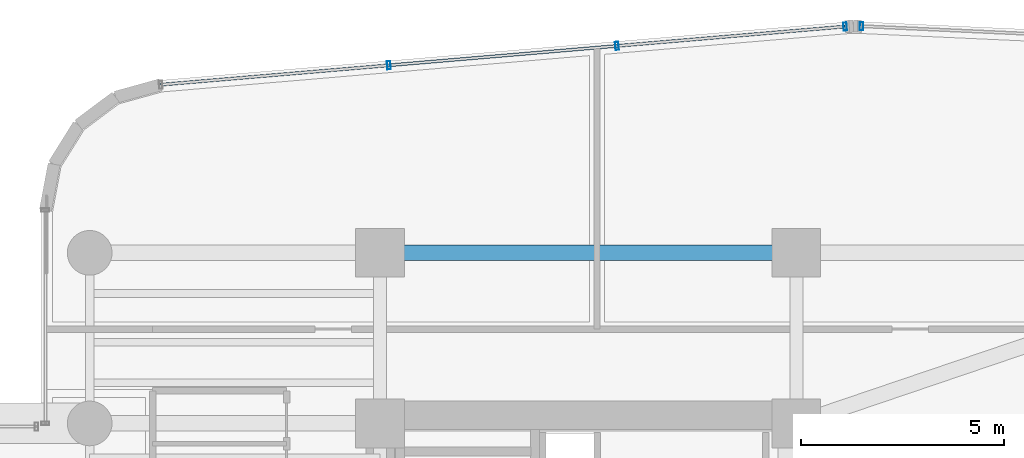
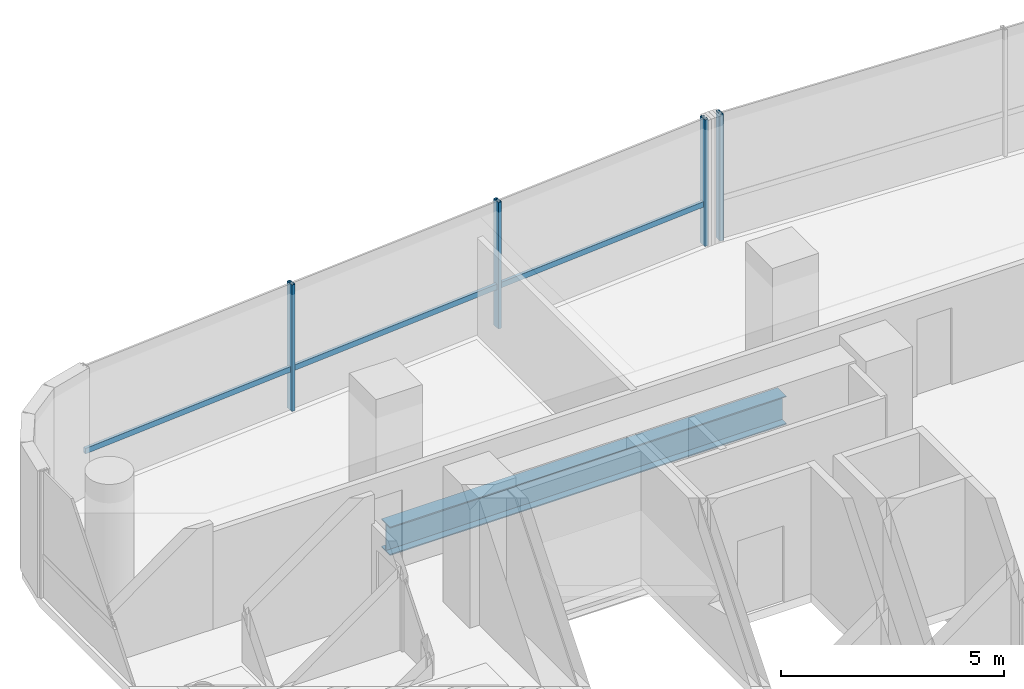
# One storey, part 19 of 34: 5 members, 1 beam, 2 elements without a shape of their own.
"""IFC4 building model written with IfcOpenShell, lengths in metres."""

from ifc_helpers import new_model, si_unit, direction, frame, origin, origin_2d, place, context, subcontext, project, spatial, hollow_rectangle, i_section, extrude, source, transform, mapped, material, material_profile, profile_set, type_object, element, aggregate, save


model = new_model("IFC4")

# Units and contexts
model_context = context("Model", 3, precision=1e-05, world=origin(), true_north=direction((0.0, 1.0)))
body_context = subcontext(model_context, "Body", "Model", "MODEL_VIEW")
ifc_project = project(units=[si_unit("LENGTHUNIT", "METRE"), si_unit("AREAUNIT", "SQUARE_METRE"), si_unit("VOLUMEUNIT", "CUBIC_METRE"), si_unit("PLANEANGLEUNIT", "RADIAN"), si_unit("MASSUNIT", "GRAM", prefix="KILO")], contexts=[model_context])

# Site, building, storey
site_placement = place(None, origin())
site = spatial("IfcSite", under=ifc_project, at=site_placement, CompositionType="ELEMENT")
building_placement = place(site_placement, origin())
building = spatial("IfcBuilding", under=site, at=building_placement, Name="Valdorenza Pilgrim Sanctuary Tower", CompositionType="ELEMENT")
storey_placement = place(building_placement, frame((0.0, 0.0, 142.699951171875)))
storey = spatial("IfcBuildingStorey", under=building, at=storey_placement, Name="L36", CompositionType="ELEMENT", Elevation=142.699951171875)

# Beam
ifc_material_1 = material(Name="Steel ASTM A992 Grade 50", Category="steel")
ifc_material_profile_1 = material_profile(ifc_material_1, i_section(OverallWidth=0.382080078125, OverallDepth=0.779052734375, WebThickness=0.01806640625, FlangeThickness=0.030029296875, at=origin_2d()), Name="W30X191")
ifc_profile_set_1 = profile_set([ifc_material_profile_1], Name="Steel ASTM A992 Grade 50")
beam_type = type_object("IfcBeamType", Name="STR-BM-GRD-W30", PredefinedType="BEAM", material=ifc_profile_set_1)
shared_shape_1 = source(origin(), body_context, "Body", "SweptSolid", [
    extrude(i_section(OverallWidth=0.382080078125, OverallDepth=0.779052734375, WebThickness=0.01806640625, FlangeThickness=0.030029296875, at=origin_2d()), origin(), (0.0, 0.0, 1.0), 10.25),
])
beam_placement = place(storey_placement, frame((-22.64990234375, 14.800048828125, -0.62939453125), z_axis=(1.0, 0.0, 0.0), x_axis=(0.0, 1.0, 0.0)))
element("IfcBeam", 1, at=beam_placement, inside=storey, type_object=beam_type, Name="L36 Floor Girder CA-XC-N2", PredefinedType="BEAM", context=body_context, shape_type="MappedRepresentation", body=[
    mapped(shared_shape_1, transform((0.0, 0.0, 0.0), x_axis=(1.0, 0.0, 0.0), y_axis=(0.0, 1.0, 0.0), z_axis=(0.0, 0.0, 1.0), scale=1.0)),
])

# Curtain wall, members
ifc_material_2 = material(Name="Curtain-wall IGU glazing", Category="glass")
curtain_wall_type = type_object("IfcCurtainWallType", Name="CW-SYS-02", PredefinedType="NOTDEFINED", material=ifc_material_2)
curtain_wall_1_placement = place(storey_placement, origin())
curtain_wall_1 = element("IfcCurtainWall", 2, at=curtain_wall_1_placement, inside=storey, type_object=curtain_wall_type, Name="L36 Curtain Wall CW-L36-1-6", PredefinedType="NOTDEFINED")
ifc_material_3 = material(Name="Anodised aluminium AW-6060", Category="aluminium")
ifc_material_profile_2 = material_profile(ifc_material_3, hollow_rectangle(XDim=0.0849609375, YDim=0.199951171875, WallThickness=0.0048828125, at=origin_2d()), Name="ALU-M 200x85x5")
ifc_profile_set_2 = profile_set([ifc_material_profile_2], Name="Anodised aluminium AW-6060")
member_type_1 = type_object("IfcMemberType", Name="CW-MUL-02", PredefinedType="MULLION", material=ifc_profile_set_2)
shared_shape_2 = source(origin(), body_context, "Body", "SweptSolid", [
    extrude(hollow_rectangle(XDim=0.0849609375, YDim=0.199951171875, WallThickness=0.0048828125, at=origin_2d()), origin(), (0.0, 0.0, 1.0), 3.4599609375),
])
member_1_placement = place(storey_placement, frame((-22.43408203125, 19.417724609375, 0.0), z_axis=(0.0, 0.0, 1.0), x_axis=(0.99640764237, 0.084686541006, 0.0)))
member_1 = element("IfcMember", 3, at=member_1_placement, type_object=member_type_1, Name="CW-L36-1-6 Mullion 2", PredefinedType="MULLION", context=body_context, shape_type="MappedRepresentation", body=[
    mapped(shared_shape_2, transform((0.0, 0.0, 0.0), x_axis=(1.0, 0.0, 0.0), y_axis=(0.0, 1.0, 0.0), z_axis=(0.0, 0.0, 1.0), scale=1.0)),
])
member_2_placement = place(storey_placement, frame((-16.81689453125, 19.895263671875, 0.0), z_axis=(0.0, 0.0, 1.0), x_axis=(0.99640764237, 0.084686541006, 0.0)))
member_2 = element("IfcMember", 4, at=member_2_placement, type_object=member_type_1, Name="CW-L36-1-6 Mullion 3", PredefinedType="MULLION", context=body_context, shape_type="MappedRepresentation", body=[
    mapped(shared_shape_2, transform((0.0, 0.0, 0.0), x_axis=(1.0, 0.0, 0.0), y_axis=(0.0, 1.0, 0.0), z_axis=(0.0, 0.0, 1.0), scale=1.0)),
])
member_3_placement = place(storey_placement, frame((-11.199462890625, 20.37255859375, 0.0), z_axis=(0.0, 0.0, 1.0), x_axis=(0.99640764237, 0.084686541006, 0.0)))
member_3 = element("IfcMember", 5, at=member_3_placement, type_object=member_type_1, Name="CW-L36-1-6 Mullion 4", PredefinedType="MULLION", context=body_context, shape_type="MappedRepresentation", body=[
    mapped(shared_shape_2, transform((0.0, 0.0, 0.0), x_axis=(1.0, 0.0, 0.0), y_axis=(0.0, 1.0, 0.0), z_axis=(0.0, 0.0, 1.0), scale=1.0)),
])

# Curtain wall, member
curtain_wall_2_placement = place(storey_placement, origin())
curtain_wall_2 = element("IfcCurtainWall", 6, at=curtain_wall_2_placement, inside=storey, type_object=curtain_wall_type, Name="L36 Curtain Wall CW-L36-1-11", PredefinedType="NOTDEFINED")
member_4_placement = place(storey_placement, frame((-10.795654296875, 20.380615234375, 0.0), z_axis=(0.0, 0.0, 1.0), x_axis=(0.998968193221, -0.045415294044, 0.0)))
member_4 = element("IfcMember", 7, at=member_4_placement, type_object=member_type_1, Name="CW-L36-1-11 Mullion 1", PredefinedType="MULLION", context=body_context, shape_type="MappedRepresentation", body=[
    mapped(shared_shape_2, transform((0.0, 0.0, 0.0), x_axis=(1.0, 0.0, 0.0), y_axis=(0.0, 1.0, 0.0), z_axis=(0.0, 0.0, 1.0), scale=1.0)),
])
aggregate(curtain_wall_2, [member_4])

# Member
ifc_material_profile_3 = material_profile(ifc_material_3, hollow_rectangle(XDim=0.074951171875, YDim=0.14990234375, WallThickness=0.00390625, at=origin_2d()), Name="ALU-T 150x75x4")
ifc_profile_set_3 = profile_set([ifc_material_profile_3], Name="Anodised aluminium AW-6060")
member_type_2 = type_object("IfcMemberType", Name="CW-TRN-02", PredefinedType="USERDEFINED", material=ifc_profile_set_3)
shared_shape_3 = source(origin(), body_context, "Body", "SweptSolid", [
    extrude(hollow_rectangle(XDim=0.074951171875, YDim=0.14990234375, WallThickness=0.00390625, at=origin_2d()), origin(), (0.0, 0.0, 1.0), 16.912841796875),
])
member_5_placement = place(storey_placement, frame((-28.051513671875, 18.940185546875, 1.1201171875), z_axis=(0.996407213932, 0.084691581783, 0.0), x_axis=(-0.084691581783, 0.996407213932, 0.0)))
member_5 = element("IfcMember", 8, at=member_5_placement, type_object=member_type_2, Name="CW-L36-1-6 Transom 1", ObjectType="TRANSOM", PredefinedType="USERDEFINED", context=body_context, shape_type="MappedRepresentation", body=[
    mapped(shared_shape_3, transform((0.0, 0.0, 0.0), x_axis=(1.0, 0.0, 0.0), y_axis=(0.0, 1.0, 0.0), z_axis=(0.0, 0.0, 1.0), scale=1.0)),
])

aggregate(curtain_wall_1, [member_1, member_2, member_3, member_5])

save(model, "model.ifc")
